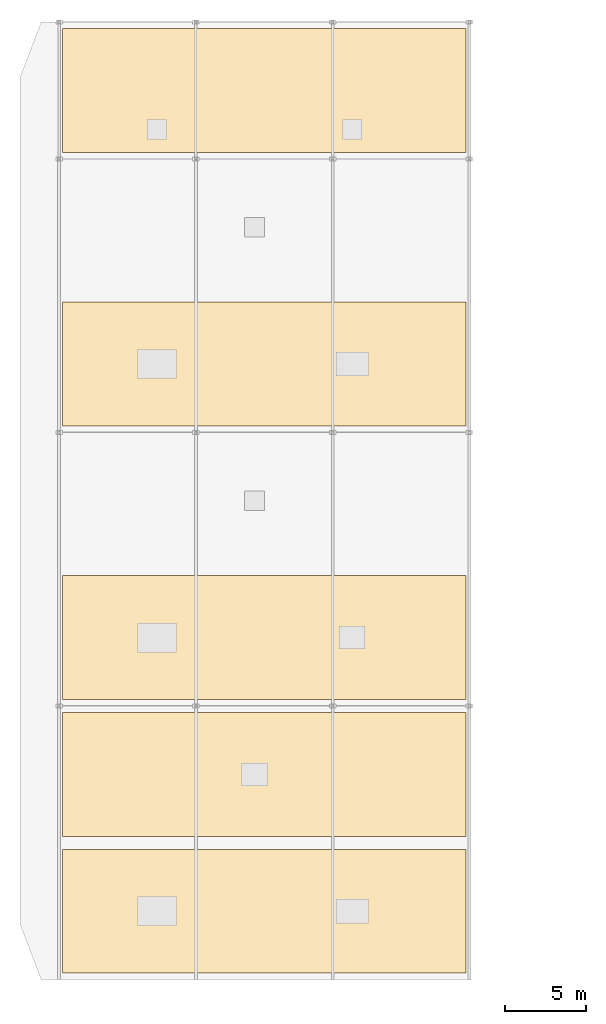
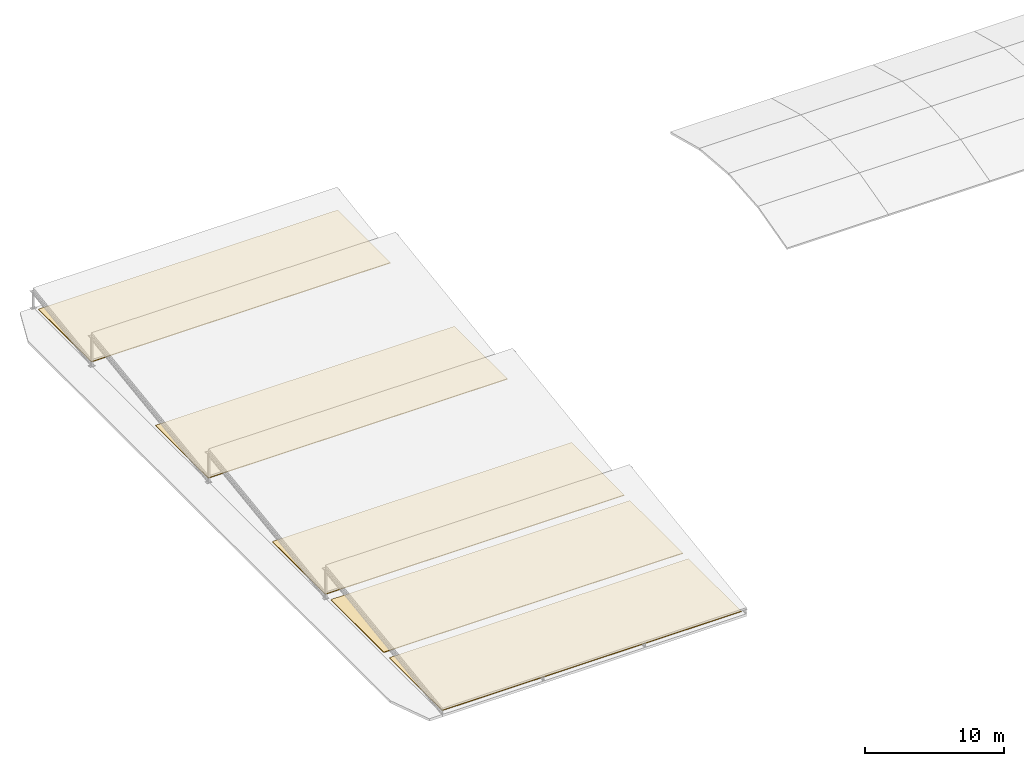
# One storey, part 12 of 12: 5 coverings, 5 elements without a shape of their own.
"""IFC4 building model written with IfcOpenShell, lengths in metres."""

from ifc_helpers import new_model, si_unit, direction, frame, origin, origin_2d, place, context, subcontext, project, spatial, rectangle, extrude, material, layer, layer_set, type_object, element, aggregate, save


model = new_model("IFC4")

# Units and contexts
model_context = context("Model", 3, precision=1e-05, world=origin(), true_north=direction((0.0, 1.0)))
body_context = subcontext(model_context, "Body", "Model", "MODEL_VIEW")
ifc_project = project(units=[si_unit("LENGTHUNIT", "METRE"), si_unit("AREAUNIT", "SQUARE_METRE"), si_unit("VOLUMEUNIT", "CUBIC_METRE"), si_unit("PLANEANGLEUNIT", "RADIAN"), si_unit("MASSUNIT", "GRAM", prefix="KILO")], contexts=[model_context])

# Site, building, storey
site_placement = place(None, origin())
site = spatial("IfcSite", under=ifc_project, at=site_placement, CompositionType="ELEMENT")
building_placement = place(site_placement, origin())
building = spatial("IfcBuilding", under=site, at=building_placement, Name="Varnapada Polytechnic", CompositionType="ELEMENT")
storey_placement = place(building_placement, frame((0.0, 0.0, 30.60009765625)))
storey = spatial("IfcBuildingStorey", under=building, at=storey_placement, Name="Roof", CompositionType="ELEMENT", Elevation=30.60009765625)

# Roof, covering
ifc_material = material(Name="Weathering terracotta standing-seam roofing", Category="masonry")
ifc_layer_1 = layer(ifc_material, 0.199951171875)
ifc_layer_set_1 = layer_set([ifc_layer_1], Name="Weathering terracotta standing-seam roofing")
roof_type = type_object("IfcRoofType", Name="Pitched Campus Roof Assembly RF-01", PredefinedType="GABLE_ROOF", material=ifc_layer_set_1)
roof_1_placement = place(storey_placement, origin())
roof_1 = element("IfcRoof", 1, at=roof_1_placement, inside=storey, type_object=roof_type, Name="Design studio north-light roof assembly 1", PredefinedType="GABLE_ROOF")
ifc_layer_2 = layer(ifc_material, 0.06005859375)
ifc_layer_set_2 = layer_set([ifc_layer_2], Name="Weathering terracotta standing-seam roofing")
covering_type = type_object("IfcCoveringType", Name="Standing-Seam Roofing RFG-01", PredefinedType="ROOFING", material=ifc_layer_set_2)
covering_1_placement = place(storey_placement, frame((12.60009765625, 63.0, -0.000244140625), z_axis=(0.0, 0.0, 1.0), x_axis=(1.0, 0.0, 0.0)))
covering_1 = element("IfcCovering", 2, at=covering_1_placement, type_object=covering_type, Name="Design studio standing-seam roofing 1", PredefinedType="ROOFING", context=body_context, shape_type="SweptSolid", body=[
    extrude(rectangle(XDim=24.800048828125, YDim=7.60009765625, at=origin_2d()), origin(), (0.0, 0.0, 1.0), 0.06005859375),
])
aggregate(roof_1, [covering_1])

roof_2_placement = place(storey_placement, origin())
roof_2 = element("IfcRoof", 3, at=roof_2_placement, inside=storey, type_object=roof_type, Name="Design studio north-light roof assembly 2", PredefinedType="GABLE_ROOF")
covering_2_placement = place(storey_placement, frame((12.60009765625, 71.39990234375, -0.000244140625), z_axis=(0.0, 0.0, 1.0), x_axis=(1.0, 0.0, 0.0)))
covering_2 = element("IfcCovering", 4, at=covering_2_placement, type_object=covering_type, Name="Design studio standing-seam roofing 2", PredefinedType="ROOFING", context=body_context, shape_type="SweptSolid", body=[
    extrude(rectangle(XDim=24.800048828125, YDim=7.60009765625, at=origin_2d()), origin(), (0.0, 0.0, 1.0), 0.06005859375),
])
aggregate(roof_2, [covering_2])

roof_3_placement = place(storey_placement, origin())
roof_3 = element("IfcRoof", 5, at=roof_3_placement, inside=storey, type_object=roof_type, Name="Design studio north-light roof assembly 3", PredefinedType="GABLE_ROOF")
covering_3_placement = place(storey_placement, frame((12.60009765625, 79.800048828125, -0.000244140625), z_axis=(0.0, 0.0, 1.0), x_axis=(1.0, 0.0, 0.0)))
covering_3 = element("IfcCovering", 6, at=covering_3_placement, type_object=covering_type, Name="Design studio standing-seam roofing 3", PredefinedType="ROOFING", context=body_context, shape_type="SweptSolid", body=[
    extrude(rectangle(XDim=24.800048828125, YDim=7.60009765625, at=origin_2d()), origin(), (0.0, 0.0, 1.0), 0.06005859375),
])
aggregate(roof_3, [covering_3])

roof_4_placement = place(storey_placement, origin())
roof_4 = element("IfcRoof", 7, at=roof_4_placement, inside=storey, type_object=roof_type, Name="Design studio north-light roof assembly 4", PredefinedType="GABLE_ROOF")
covering_4_placement = place(storey_placement, frame((12.60009765625, 96.60009765625, -0.000244140625), z_axis=(0.0, 0.0, 1.0), x_axis=(1.0, 0.0, 0.0)))
covering_4 = element("IfcCovering", 8, at=covering_4_placement, type_object=covering_type, Name="Design studio standing-seam roofing 4", PredefinedType="ROOFING", context=body_context, shape_type="SweptSolid", body=[
    extrude(rectangle(XDim=24.800048828125, YDim=7.60009765625, at=origin_2d()), origin(), (0.0, 0.0, 1.0), 0.06005859375),
])
aggregate(roof_4, [covering_4])

roof_5_placement = place(storey_placement, origin())
roof_5 = element("IfcRoof", 9, at=roof_5_placement, inside=storey, type_object=roof_type, Name="Design studio north-light roof assembly 5", PredefinedType="GABLE_ROOF")
covering_5_placement = place(storey_placement, frame((12.60009765625, 113.39990234375, -0.000244140625), z_axis=(0.0, 0.0, 1.0), x_axis=(1.0, 0.0, 0.0)))
covering_5 = element("IfcCovering", 10, at=covering_5_placement, type_object=covering_type, Name="Design studio standing-seam roofing 5", PredefinedType="ROOFING", context=body_context, shape_type="SweptSolid", body=[
    extrude(rectangle(XDim=24.800048828125, YDim=7.60009765625, at=origin_2d()), origin(), (0.0, 0.0, 1.0), 0.06005859375),
])
aggregate(roof_5, [covering_5])

save(model, "model.ifc")
